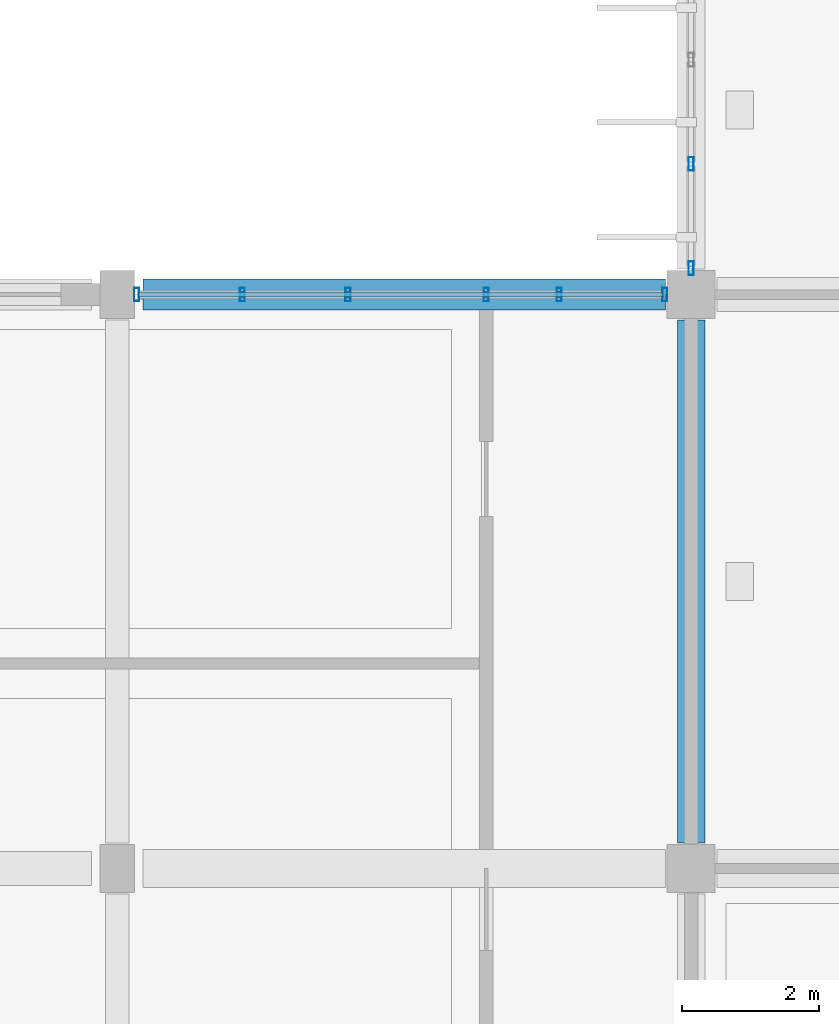
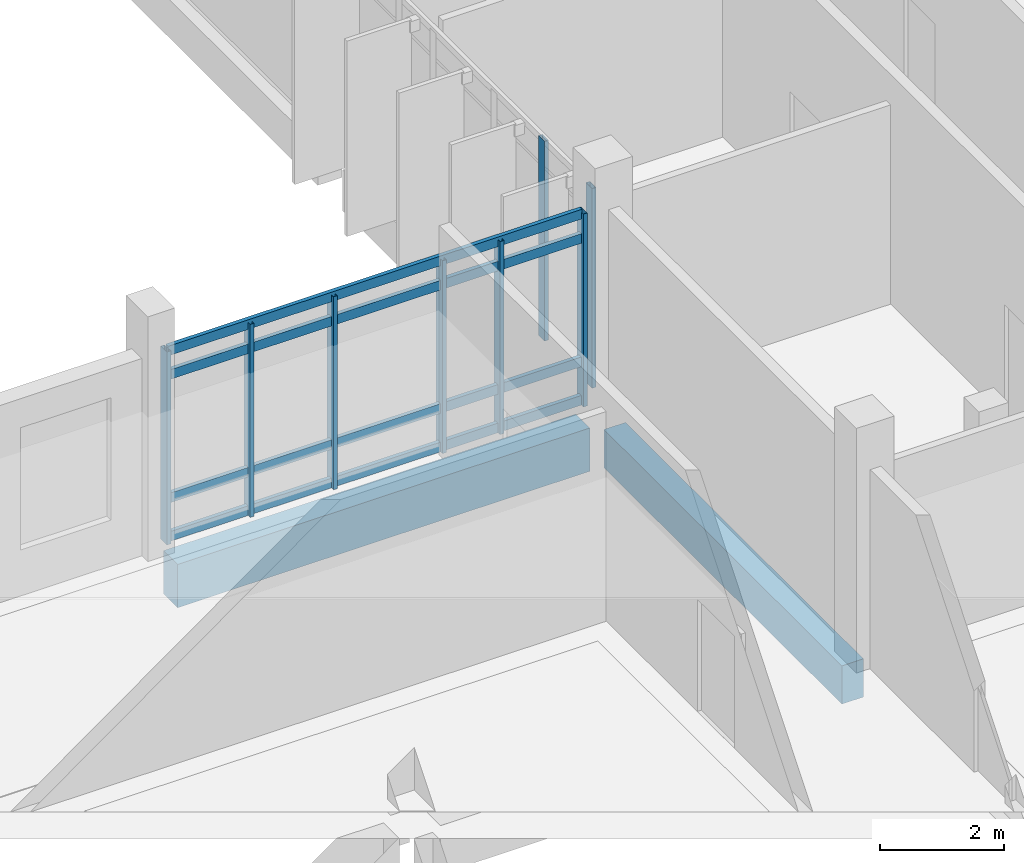
# One storey, part 15 of 95: 12 members, 2 beams, 2 elements without a shape of their own.
"""IFC4 building model written with IfcOpenShell, lengths in metres."""

from ifc_helpers import new_model, si_unit, direction, frame, origin, origin_2d, place, context, subcontext, project, spatial, rectangle, hollow_rectangle, extrude, material, layer, layer_set, material_profile, profile_set, type_object, element, aggregate, save


model = new_model("IFC4")

# Units and contexts
model_context = context("Model", 3, precision=1e-05, world=origin(), true_north=direction((0.0, 1.0)))
body_context = subcontext(model_context, "Body", "Model", "MODEL_VIEW")
ifc_project = project(units=[si_unit("LENGTHUNIT", "METRE"), si_unit("AREAUNIT", "SQUARE_METRE"), si_unit("VOLUMEUNIT", "CUBIC_METRE"), si_unit("PLANEANGLEUNIT", "RADIAN"), si_unit("MASSUNIT", "GRAM", prefix="KILO")], contexts=[model_context])

# Site, building, storey
site_placement = place(None, origin())
site = spatial("IfcSite", under=ifc_project, at=site_placement, CompositionType="ELEMENT")
building_placement = place(site_placement, origin())
building = spatial("IfcBuilding", under=site, at=building_placement, Name="Vireocrest Preparatory School", CompositionType="ELEMENT")
storey_placement = place(building_placement, origin())
storey = spatial("IfcBuildingStorey", under=building, at=storey_placement, Name="L00", CompositionType="ELEMENT", Elevation=0.0)

# Curtain wall, members
ifc_material_1 = material(Name="Thermally broken aluminium EN AW-6063-T6", Category="aluminium")
ifc_layer_1 = layer(ifc_material_1, 0.179931640625)
ifc_layer_set_1 = layer_set([ifc_layer_1], Name="Thermally broken aluminium EN AW-6063-T6")
curtain_wall_type_1 = type_object("IfcCurtainWallType", Name="Ground Storefront Curtain Wall 8400x4800", PredefinedType="USERDEFINED", material=ifc_layer_set_1)
curtain_wall_1_placement = place(storey_placement, origin())
curtain_wall_1 = element("IfcCurtainWall", 1, at=curtain_wall_1_placement, inside=storey, type_object=curtain_wall_type_1, Name="Curtain Wall CW04 CW_L00_CW04_0420_0525_000", ObjectType="CURTAIN WALL", PredefinedType="USERDEFINED")
ifc_material_profile_1 = material_profile(ifc_material_1, hollow_rectangle(XDim=0.074951171875, YDim=0.199951171875, WallThickness=0.0048828125, at=origin_2d()), Name="ALU 75x200x5")
ifc_profile_set_1 = profile_set([ifc_material_profile_1], Name="Thermally broken aluminium EN AW-6063-T6")
member_type_1 = type_object("IfcMemberType", Name="CW Mullion 75x200x5", PredefinedType="MULLION", material=ifc_profile_set_1)
member_1_placement = place(storey_placement, frame((42.0, 52.5849609375, 0.0), z_axis=(0.0, 0.0, 1.0), x_axis=(1.0, 0.0, 0.0)))
member_1 = element("IfcMember", 2, at=member_1_placement, type_object=member_type_1, Name="CW Mullion ML3 CW_L00_CW04_0420_0525_000-1", PredefinedType="MULLION", context=body_context, shape_type="SweptSolid", body=[
    extrude(hollow_rectangle(XDim=0.074951171875, YDim=0.199951171875, WallThickness=0.0048828125, at=origin_2d()), origin(), (0.0, 0.0, 1.0), 3.9169921875),
])
member_2_placement = place(storey_placement, frame((42.0, 54.111083984375, 0.0), z_axis=(0.0, 0.0, 1.0), x_axis=(1.0, 0.0, 0.0)))
member_2 = element("IfcMember", 3, at=member_2_placement, type_object=member_type_1, Name="CW Mullion ML3 CW_L00_CW04_0420_0525_000-2", PredefinedType="MULLION", context=body_context, shape_type="SweptSolid", body=[
    extrude(hollow_rectangle(XDim=0.074951171875, YDim=0.199951171875, WallThickness=0.0048828125, at=origin_2d()), origin(), (0.0, 0.0, 1.0), 3.9169921875),
])
aggregate(curtain_wall_1, [member_1, member_2])

ifc_layer_2 = layer(ifc_material_1, 0.179931640625)
ifc_layer_set_2 = layer_set([ifc_layer_2], Name="Thermally broken aluminium EN AW-6063-T6")
curtain_wall_type_2 = type_object("IfcCurtainWallType", Name="Side Facade Curtain Wall 9000x4200", PredefinedType="USERDEFINED", material=ifc_layer_set_2)
curtain_wall_2_placement = place(storey_placement, origin())
curtain_wall_2 = element("IfcCurtainWall", 4, at=curtain_wall_2_placement, inside=storey, type_object=curtain_wall_type_2, Name="Curtain Wall CW07 CW_L00_CW07_0338_0522_000", ObjectType="CURTAIN WALL", PredefinedType="USERDEFINED")
member_3_placement = place(storey_placement, frame((33.885009765625, 52.199951171875, 0.0), z_axis=(0.0, 0.0, 1.0), x_axis=(1.0, 0.0, 0.0)))
member_3 = element("IfcMember", 5, at=member_3_placement, type_object=member_type_1, Name="CW Mullion ML3 CW_L00_CW07_0338_0522_000-1", PredefinedType="MULLION", context=body_context, shape_type="SweptSolid", body=[
    extrude(hollow_rectangle(XDim=0.074951171875, YDim=0.199951171875, WallThickness=0.0048828125, at=origin_2d()), origin(), (0.0, 0.0, 1.0), 3.784912109375),
])
member_4_placement = place(storey_placement, frame((35.430908203125, 52.199951171875, 0.0), z_axis=(0.0, 0.0, 1.0), x_axis=(1.0, 0.0, 0.0)))
member_4 = element("IfcMember", 6, at=member_4_placement, type_object=member_type_1, Name="CW Mullion ML3 CW_L00_CW07_0338_0522_000-2", PredefinedType="MULLION", context=body_context, shape_type="SweptSolid", body=[
    extrude(hollow_rectangle(XDim=0.074951171875, YDim=0.199951171875, WallThickness=0.0048828125, at=origin_2d()), origin(), (0.0, 0.0, 1.0), 3.784912109375),
])
member_5_placement = place(storey_placement, frame((36.97705078125, 52.199951171875, 0.0), z_axis=(0.0, 0.0, 1.0), x_axis=(1.0, 0.0, 0.0)))
member_5 = element("IfcMember", 7, at=member_5_placement, type_object=member_type_1, Name="CW Mullion ML3 CW_L00_CW07_0338_0522_000-3", PredefinedType="MULLION", context=body_context, shape_type="SweptSolid", body=[
    extrude(hollow_rectangle(XDim=0.074951171875, YDim=0.199951171875, WallThickness=0.0048828125, at=origin_2d()), origin(), (0.0, 0.0, 1.0), 3.784912109375),
])
member_6_placement = place(storey_placement, frame((39.0, 52.199951171875, 0.0), z_axis=(0.0, 0.0, 1.0), x_axis=(1.0, 0.0, 0.0)))
member_6 = element("IfcMember", 8, at=member_6_placement, type_object=member_type_1, Name="CW Mullion ML3 CW_L00_CW07_0338_0522_000-4", PredefinedType="MULLION", context=body_context, shape_type="SweptSolid", body=[
    extrude(hollow_rectangle(XDim=0.074951171875, YDim=0.199951171875, WallThickness=0.0048828125, at=origin_2d()), origin(), (0.0, 0.0, 1.0), 3.784912109375),
])
member_7_placement = place(storey_placement, frame((40.069091796875, 52.199951171875, 0.0), z_axis=(0.0, 0.0, 1.0), x_axis=(1.0, 0.0, 0.0)))
member_7 = element("IfcMember", 9, at=member_7_placement, type_object=member_type_1, Name="CW Mullion ML3 CW_L00_CW07_0338_0522_000-5", PredefinedType="MULLION", context=body_context, shape_type="SweptSolid", body=[
    extrude(hollow_rectangle(XDim=0.074951171875, YDim=0.199951171875, WallThickness=0.0048828125, at=origin_2d()), origin(), (0.0, 0.0, 1.0), 3.784912109375),
])
member_8_placement = place(storey_placement, frame((41.614990234375, 52.199951171875, 0.0), z_axis=(0.0, 0.0, 1.0), x_axis=(1.0, 0.0, 0.0)))
member_8 = element("IfcMember", 10, at=member_8_placement, type_object=member_type_1, Name="CW Mullion ML3 CW_L00_CW07_0338_0522_000-6", PredefinedType="MULLION", context=body_context, shape_type="SweptSolid", body=[
    extrude(hollow_rectangle(XDim=0.074951171875, YDim=0.199951171875, WallThickness=0.0048828125, at=origin_2d()), origin(), (0.0, 0.0, 1.0), 3.784912109375),
])
ifc_material_profile_2 = material_profile(ifc_material_1, hollow_rectangle(XDim=0.074951171875, YDim=0.18994140625, WallThickness=0.00390625, at=origin_2d()), Name="ALU 75x190x4")
ifc_profile_set_2 = profile_set([ifc_material_profile_2], Name="Thermally broken aluminium EN AW-6063-T6")
member_type_2 = type_object("IfcMemberType", Name="CW Transom 75x190x4", PredefinedType="USERDEFINED", material=ifc_profile_set_2)
member_9_placement = place(storey_placement, frame((33.909912109375, 52.199951171875, 0.094970703125), z_axis=(1.0, 0.0, 0.0), x_axis=(0.0, 1.0, 0.0)))
member_9 = element("IfcMember", 11, at=member_9_placement, type_object=member_type_2, Name="CW Transom TR3 CW_L00_CW07_0338_0522_000-1", ObjectType="TRANSOM", PredefinedType="USERDEFINED", context=body_context, shape_type="SweptSolid", body=[
    extrude(hollow_rectangle(XDim=0.074951171875, YDim=0.18994140625, WallThickness=0.00390625, at=origin_2d()), origin(), (0.0, 0.0, 1.0), 7.68017578125),
])
member_10_placement = place(storey_placement, frame((33.909912109375, 52.199951171875, 0.85009765625), z_axis=(1.0, 0.0, 0.0), x_axis=(0.0, 1.0, 0.0)))
member_10 = element("IfcMember", 12, at=member_10_placement, type_object=member_type_2, Name="CW Transom TR3 CW_L00_CW07_0338_0522_000-2", ObjectType="TRANSOM", PredefinedType="USERDEFINED", context=body_context, shape_type="SweptSolid", body=[
    extrude(hollow_rectangle(XDim=0.074951171875, YDim=0.18994140625, WallThickness=0.00390625, at=origin_2d()), origin(), (0.0, 0.0, 1.0), 7.68017578125),
])
member_11_placement = place(storey_placement, frame((33.909912109375, 52.199951171875, 3.27001953125), z_axis=(1.0, 0.0, 0.0), x_axis=(0.0, 1.0, 0.0)))
member_11 = element("IfcMember", 13, at=member_11_placement, type_object=member_type_2, Name="CW Transom TR3 CW_L00_CW07_0338_0522_000-3", ObjectType="TRANSOM", PredefinedType="USERDEFINED", context=body_context, shape_type="SweptSolid", body=[
    extrude(hollow_rectangle(XDim=0.074951171875, YDim=0.18994140625, WallThickness=0.00390625, at=origin_2d()), origin(), (0.0, 0.0, 1.0), 7.68017578125),
])
member_12_placement = place(storey_placement, frame((33.909912109375, 52.199951171875, 3.7451171875), z_axis=(1.0, 0.0, 0.0), x_axis=(0.0, 1.0, 0.0)))
member_12 = element("IfcMember", 14, at=member_12_placement, type_object=member_type_2, Name="CW Transom TR3 CW_L00_CW07_0338_0522_000-4", ObjectType="TRANSOM", PredefinedType="USERDEFINED", context=body_context, shape_type="SweptSolid", body=[
    extrude(hollow_rectangle(XDim=0.074951171875, YDim=0.18994140625, WallThickness=0.00390625, at=origin_2d()), origin(), (0.0, 0.0, 1.0), 7.68017578125),
])
aggregate(curtain_wall_2, [member_3, member_4, member_5, member_6, member_7, member_8, member_9, member_10, member_11, member_12])

# Beams
ifc_material_2 = material(Name="Concrete 40 MPa", Category="concrete")
ifc_material_profile_3 = material_profile(ifc_material_2, rectangle(XDim=0.39990234375, YDim=0.75, at=origin_2d()), Name="RC 400x750")
ifc_profile_set_3 = profile_set([ifc_material_profile_3], Name="Concrete 40 MPa")
beam_type_1 = type_object("IfcBeamType", Name="RC Commons Girder 400x750", PredefinedType="BEAM", material=ifc_profile_set_3)
beam_1_placement = place(storey_placement, frame((42.0, 44.175048828125, -0.72509765625), z_axis=(0.0, 1.0, 0.0), x_axis=(-1.0, 0.0, 0.0)))
element("IfcBeam", 15, at=beam_1_placement, inside=storey, type_object=beam_type_1, Name="Primary Girder B09 L00-0146", PredefinedType="BEAM", context=body_context, shape_type="SweptSolid", body=[
    extrude(rectangle(XDim=0.39990234375, YDim=0.75, at=origin_2d()), origin(), (0.0, 0.0, 1.0), 7.64990234375),
])
ifc_material_profile_4 = material_profile(ifc_material_2, rectangle(XDim=0.449951171875, YDim=0.85009765625, at=origin_2d()), Name="RC 450x850")
ifc_profile_set_4 = profile_set([ifc_material_profile_4], Name="Concrete 40 MPa")
beam_type_2 = type_object("IfcBeamType", Name="RC Heavy Floor Girder 450x850", PredefinedType="BEAM", material=ifc_profile_set_4)
beam_2_placement = place(storey_placement, frame((33.97509765625, 52.199951171875, -0.77490234375), z_axis=(1.0, 0.0, 0.0), x_axis=(0.0, 1.0, 0.0)))
element("IfcBeam", 16, at=beam_2_placement, inside=storey, type_object=beam_type_2, Name="Primary Girder B13 L00-0065", PredefinedType="BEAM", context=body_context, shape_type="SweptSolid", body=[
    extrude(rectangle(XDim=0.449951171875, YDim=0.85009765625, at=origin_2d()), origin(), (0.0, 0.0, 1.0), 7.64990234375),
])

save(model, "model.ifc")
